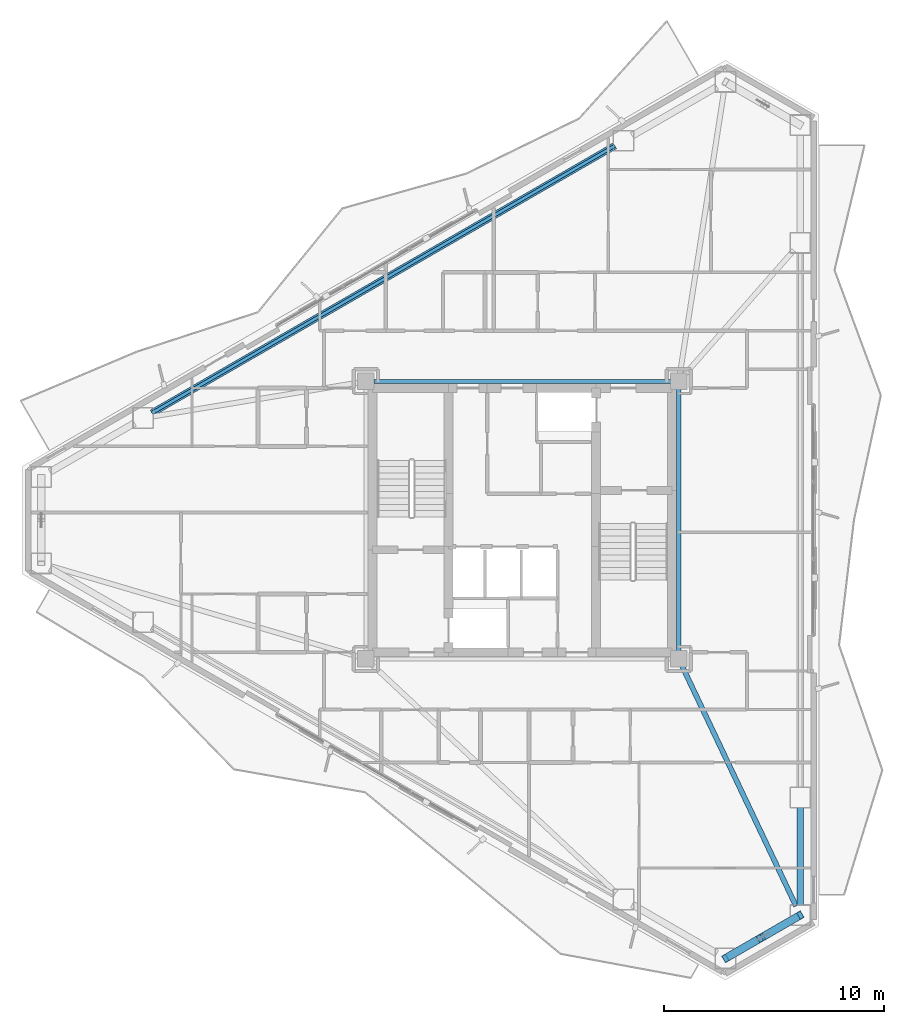
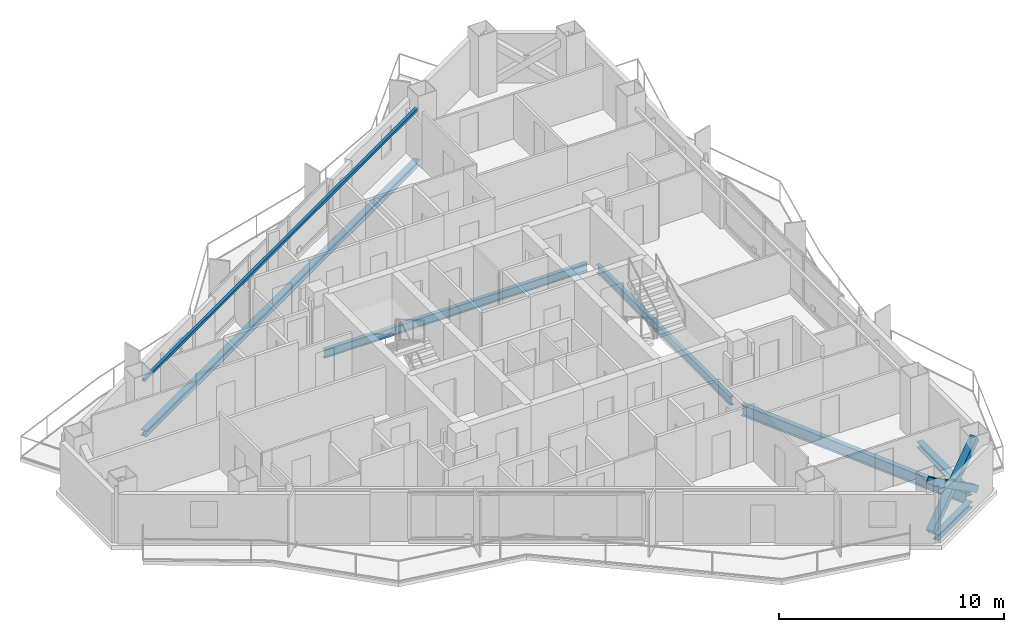
# One storey, part 6 of 19: 7 beams, 3 members.
"""IFC4 building model written with IfcOpenShell, lengths in metres."""

from ifc_helpers import new_model, si_unit, direction, frame, origin, origin_2d, place, context, subcontext, project, spatial, hollow_rectangle, i_section, extrude, material, material_profile, profile_set, type_object, element, save


model = new_model("IFC4")

# Units and contexts
model_context = context("Model", 3, precision=1e-05, world=origin(), true_north=direction((0.0, 1.0)))
body_context = subcontext(model_context, "Body", "Model", "MODEL_VIEW")
ifc_project = project(units=[si_unit("LENGTHUNIT", "METRE"), si_unit("AREAUNIT", "SQUARE_METRE"), si_unit("VOLUMEUNIT", "CUBIC_METRE"), si_unit("PLANEANGLEUNIT", "RADIAN"), si_unit("MASSUNIT", "GRAM", prefix="KILO")], contexts=[model_context])

# Site, building, storey
site_placement = place(None, origin())
site = spatial("IfcSite", under=ifc_project, at=site_placement, CompositionType="ELEMENT")
building_placement = place(site_placement, origin())
building = spatial("IfcBuilding", under=site, at=building_placement, Name="Mersakhor Tower and Convention Hall", CompositionType="ELEMENT")
storey_placement = place(building_placement, frame((0.0, 0.0, 147.60009765625)))
storey = spatial("IfcBuildingStorey", under=building, at=storey_placement, Name="L41", CompositionType="ELEMENT", Elevation=147.60009765625)

# Beams
ifc_material_1 = material(Name="Steel S355", Category="steel")
ifc_material_profile_1 = material_profile(ifc_material_1, i_section(OverallWidth=0.19140625, OverallDepth=0.4599609375, WebThickness=0.010009765625, FlangeThickness=0.01611328125, at=origin_2d()), Name="UB 457x191x82")
ifc_profile_set_1 = profile_set([ifc_material_profile_1], Name="Steel S355")
beam_type_1 = type_object("IfcBeamType", Name="BM-FB-457", PredefinedType="BEAM", material=ifc_profile_set_1)
beam_1_placement = place(storey_placement, frame((22.2548828125, 33.050048828125, -0.47021484375), z_axis=(1.0, 0.0, 0.0), x_axis=(0.0, 1.0, 0.0)))
element("IfcBeam", 1, at=beam_1_placement, inside=storey, type_object=beam_type_1, Name="L41 Core Ring Tie Beam CRB-2", PredefinedType="BEAM", context=body_context, shape_type="SweptSolid", body=[
    extrude(i_section(OverallWidth=0.19140625, OverallDepth=0.4599609375, WebThickness=0.010009765625, FlangeThickness=0.01611328125, at=origin_2d()), origin(), (0.0, 0.0, 1.0), 13.490234375),
])
beam_2_placement = place(storey_placement, frame((36.10009765625, 32.695068359375, -0.47021484375), z_axis=(0.0, -1.0, 0.0), x_axis=(1.0, 0.0, 0.0)))
element("IfcBeam", 2, at=beam_2_placement, inside=storey, type_object=beam_type_1, Name="L41 Core Ring Tie Beam CRB-3", PredefinedType="BEAM", context=body_context, shape_type="SweptSolid", body=[
    extrude(i_section(OverallWidth=0.19140625, OverallDepth=0.4599609375, WebThickness=0.010009765625, FlangeThickness=0.01611328125, at=origin_2d()), origin(), (0.0, 0.0, 1.0), 11.89013671875),
])
ifc_material_2 = material(Name="Steel S355", Category="steel")
ifc_material_profile_2 = material_profile(ifc_material_2, hollow_rectangle(XDim=0.14990234375, YDim=0.14990234375, WallThickness=0.010009765625, at=origin_2d()), Name="SHS 150x150x10")
ifc_profile_set_2 = profile_set([ifc_material_profile_2], Name="Steel S355")
beam_type_2 = type_object("IfcBeamType", Name="BM-GRT-SHS150", PredefinedType="USERDEFINED", material=ifc_profile_set_2)
beam_3_placement = place(storey_placement, frame((12.182373046875, 31.61181640625, 2.47998046875), z_axis=(0.866027433267, 0.499996484816, 0.0), x_axis=(-0.499996484816, 0.866027433267, 0.0)))
element("IfcBeam", 3, at=beam_3_placement, inside=storey, type_object=beam_type_2, Name="L41 Facade Support Girt GRT-F1", ObjectType="GIRT", PredefinedType="USERDEFINED", context=body_context, shape_type="SweptSolid", body=[
    extrude(hollow_rectangle(XDim=0.14990234375, YDim=0.14990234375, WallThickness=0.010009765625, at=origin_2d()), origin(), (0.0, 0.0, 1.0), 24.267333984375),
])
ifc_material_3 = material(Name="Steel S355", Category="steel")
ifc_material_profile_3 = material_profile(ifc_material_3, i_section(OverallWidth=0.22900390625, OverallDepth=0.6123046875, WebThickness=0.011962890625, FlangeThickness=0.01953125, at=origin_2d()), Name="UB 610x229x125")
ifc_profile_set_3 = profile_set([ifc_material_profile_3], Name="Steel S355")
beam_type_3 = type_object("IfcBeamType", Name="BM-PR-610", PredefinedType="BEAM", material=ifc_profile_set_3)
beam_4_placement = place(storey_placement, frame((36.252197265625, 20.12939453125, -0.546142578125), z_axis=(0.428664675599, -0.903463666061, 0.0), x_axis=(0.903463666061, 0.428664675599, 0.0)))
element("IfcBeam", 4, at=beam_4_placement, inside=storey, type_object=beam_type_3, Name="L41 Primary Floor Girder FG-4", PredefinedType="BEAM", context=body_context, shape_type="SweptSolid", body=[
    extrude(i_section(OverallWidth=0.22900390625, OverallDepth=0.6123046875, WebThickness=0.011962890625, FlangeThickness=0.01953125, at=origin_2d()), origin(), (0.0, 0.0, 1.0), 12.065673828125),
])
ifc_material_4 = material(Name="Steel S355", Category="steel")
ifc_material_profile_4 = material_profile(ifc_material_4, i_section(OverallWidth=0.30908203125, OverallDepth=0.320556640625, WebThickness=0.013916015625, FlangeThickness=0.021728515625, at=origin_2d()), Name="UC 305x305x137")
ifc_profile_set_4 = profile_set([ifc_material_profile_4], Name="Steel S355")
beam_type_4 = type_object("IfcBeamType", Name="BM-SPD-UC305", PredefinedType="SPANDREL", material=ifc_profile_set_4)
beam_5_placement = place(storey_placement, frame((12.182373046875, 31.61181640625, -0.400390625), z_axis=(0.866027433267, 0.499996484816, 0.0), x_axis=(-0.499996484816, 0.866027433267, 0.0)))
element("IfcBeam", 5, at=beam_5_placement, inside=storey, type_object=beam_type_4, Name="L41 Perimeter Spandrel Beam SPB-02", PredefinedType="SPANDREL", context=body_context, shape_type="SweptSolid", body=[
    extrude(i_section(OverallWidth=0.30908203125, OverallDepth=0.320556640625, WebThickness=0.013916015625, FlangeThickness=0.021728515625, at=origin_2d()), origin(), (0.0, 0.0, 1.0), 24.267333984375),
])
beam_6_placement = place(storey_placement, frame((41.619140625, 13.706298828125, -0.400390625), z_axis=(0.0, -1.0, 0.0), x_axis=(1.0, 0.0, 0.0)))
element("IfcBeam", 6, at=beam_6_placement, inside=storey, type_object=beam_type_4, Name="L41 Perimeter Spandrel Beam SPB-07", PredefinedType="SPANDREL", context=body_context, shape_type="SweptSolid", body=[
    extrude(i_section(OverallWidth=0.30908203125, OverallDepth=0.320556640625, WebThickness=0.013916015625, FlangeThickness=0.021728515625, at=origin_2d()), origin(), (0.0, 0.0, 1.0), 4.433837890625),
])
beam_7_placement = place(storey_placement, frame((41.22509765625, 8.58984375, -0.400390625), z_axis=(-0.86604667077, -0.499963162692, 0.0), x_axis=(0.499963162692, -0.86604667077, 0.0)))
element("IfcBeam", 7, at=beam_7_placement, inside=storey, type_object=beam_type_4, Name="L41 Perimeter Spandrel Beam SPB-08", PredefinedType="SPANDREL", context=body_context, shape_type="SweptSolid", body=[
    extrude(i_section(OverallWidth=0.30908203125, OverallDepth=0.320556640625, WebThickness=0.013916015625, FlangeThickness=0.021728515625, at=origin_2d()), origin(), (0.0, 0.0, 1.0), 3.014404296875),
])

# Members
ifc_material_5 = material(Name="Steel S460", Category="steel")
ifc_material_profile_5 = material_profile(ifc_material_5, hollow_rectangle(XDim=0.35009765625, YDim=0.35009765625, WallThickness=0.02001953125, at=origin_2d()), Name="SHS 350x350x20")
ifc_profile_set_5 = profile_set([ifc_material_profile_5], Name="Steel S460")
member_type = type_object("IfcMemberType", Name="MB-BRC-SHS350", PredefinedType="BRACE", material=ifc_profile_set_5)
member_placement = place(storey_placement, frame((41.619140625, 8.8173828125, 0.14990234375), z_axis=(-0.70838533923, -0.408971551713, 0.575267312693), x_axis=(0.499986324622, -0.866033299124, 0.0)))
element("IfcMember", 8, at=member_placement, inside=storey, type_object=member_type, Name="L41 Chamfer Braced Frame Diagonal CB-2A", PredefinedType="BRACE", context=body_context, shape_type="SweptSolid", body=[
    extrude(hollow_rectangle(XDim=0.35009765625, YDim=0.35009765625, WallThickness=0.02001953125, at=origin_2d()), origin(), (0.0, 0.0, 1.0), 4.7978515625),
])
for number, where, z_axis, x_axis, name in (
    (9, (38.220458984375, 6.855224609375, 0.14990234375), (0.708409139881, 0.409012716899, 0.575208734242), (-0.500011469263, 0.866018781901, 0.0), "L41 Chamfer Braced Frame Diagonal CB-2B Lower Half"),
    (10, (40.05712890625, 7.91552734375, 1.6416015625), (0.708409139881, 0.409012716899, 0.575208734242), (-0.500011469263, 0.866018781901, 0.0), "L41 Chamfer Braced Frame Diagonal CB-2B Upper Half"),
):
    element("IfcMember", number, at=place(storey_placement, frame(where, z_axis=z_axis, x_axis=x_axis)), inside=storey, type_object=member_type, Name=name, PredefinedType="BRACE", context=body_context, shape_type="SweptSolid", body=[
        extrude(hollow_rectangle(XDim=0.35009765625, YDim=0.35009765625, WallThickness=0.02001953125, at=origin_2d()), origin(), (0.0, 0.0, 1.0), 2.205078125),
    ])

save(model, "model.ifc")
